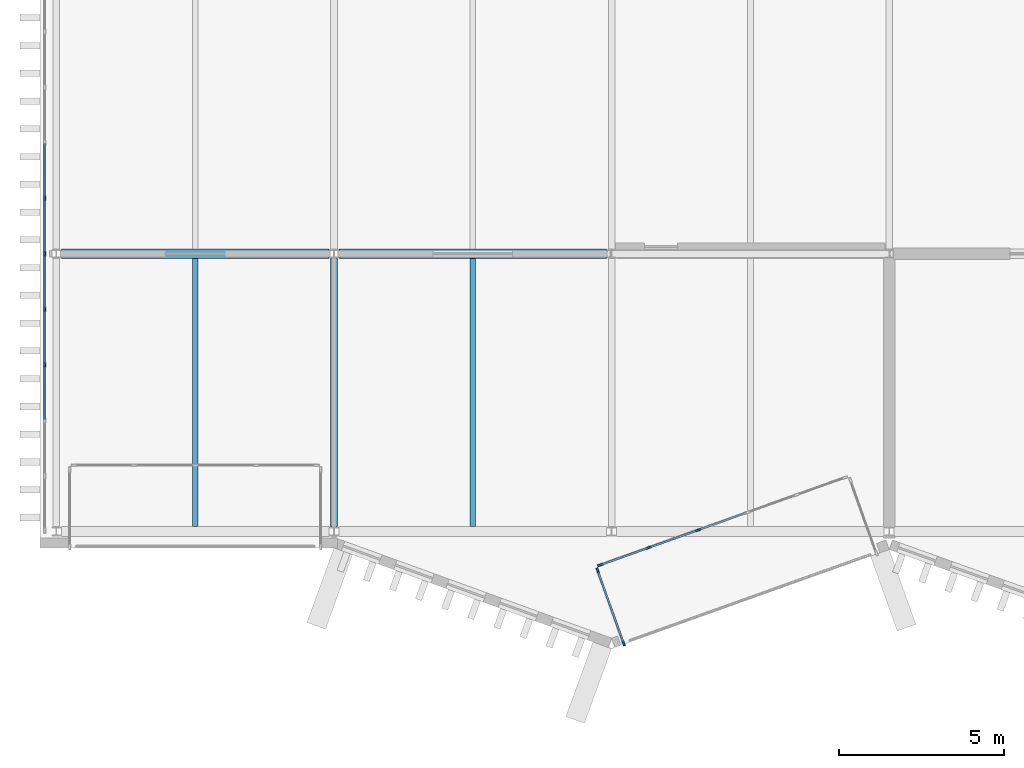
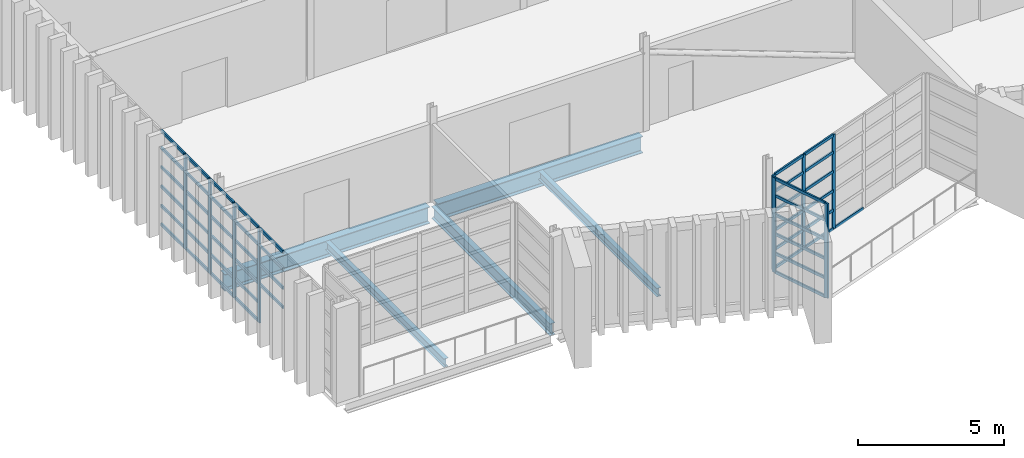
# One storey, part 14 of 88: 56 members, 5 beams, 3 elements without a shape of their own.
"""IFC4 building model written with IfcOpenShell, lengths in metres."""

import ifcopenshell
import ifcopenshell.guid

model = None  # the IFC model being written
_history = None  # IfcOwnerHistory: only IFC2X3 demands one
_inside = {}  # id of a spatial element -> (the spatial element, [elements in it])
_under = {}  # id of a project, library or spatial element -> (it, [spatial elements below it])
_declared = {}  # id of a project -> (the project, [libraries it declares])
_typed = {}  # id of a type object -> (the type object, [elements of that type])
_made_of = {}  # id of a material, layer set ... -> (it, [elements and type objects made of it])


def new_model(schema):
    """Start an empty IFC model of exactly this schema.

    Asked for "IFC4X3", IfcOpenShell would pick the latest addendum, in which some entities
    have other attributes; the version numbers below select the first issue.
    IFC2X3 requires an IfcOwnerHistory on every rooted entity: one is made here for all.
    """
    global model, _history
    if schema == "IFC4X3":
        model = ifcopenshell.file(schema_version=(4, 3, 0, 0))
    else:
        model = ifcopenshell.file(schema=schema)
    _inside.clear()
    _under.clear()
    _declared.clear()
    _typed.clear()
    _made_of.clear()
    _history = None
    if model.schema == "IFC2X3":
        org = make("IfcOrganization", Name="unknown")
        user = make(
            "IfcPersonAndOrganization",
            ThePerson=make("IfcPerson", FamilyName="unknown"),
            TheOrganization=org,
        )
        app = make(
            "IfcApplication",
            ApplicationDeveloper=org,
            Version="unknown",
            ApplicationFullName="unknown",
            ApplicationIdentifier="unknown",
        )
        _history = make(
            "IfcOwnerHistory",
            OwningUser=user,
            OwningApplication=app,
            ChangeAction="ADDED",
            CreationDate=0,
        )
    return model


def make(cls, **values):
    """One entity of the class cls with the attributes given. An attribute that is None is left unset."""
    return model.create_entity(
        cls, **{name: value for name, value in values.items() if value is not None}
    )


def rooted(cls, **values):
    """An entity with a GlobalId (a new one), such as an element, a storey or a relation."""
    return make(cls, GlobalId=ifcopenshell.guid.new(), OwnerHistory=_history, **values)


def si_unit(unit_type, name, prefix=None):
    """IfcSIUnit, for example si_unit("LENGTHUNIT", "METRE", prefix="MILLI")."""
    return make("IfcSIUnit", UnitType=unit_type, Prefix=prefix, Name=name)


def assignment(units):
    """IfcUnitAssignment: the units of a project."""
    return None if units is None else make("IfcUnitAssignment", Units=units)


def point(xyz):
    """IfcCartesianPoint."""
    return None if xyz is None else make("IfcCartesianPoint", Coordinates=xyz)


def direction(xyz):
    """IfcDirection."""
    return None if xyz is None else make("IfcDirection", DirectionRatios=xyz)


def frame(location, z_axis=None, x_axis=None):
    """IfcAxis2Placement3D, a coordinate frame: its origin and axes. An axis left out is left unset."""
    return make(
        "IfcAxis2Placement3D",
        Location=point(location),
        Axis=direction(z_axis),
        RefDirection=direction(x_axis),
    )


def frame_2d(location, x_axis=None):
    """IfcAxis2Placement2D, a coordinate frame in the plane: its origin and x axis."""
    return make(
        "IfcAxis2Placement2D", Location=point(location), RefDirection=direction(x_axis)
    )


def origin():
    """The frame at (0, 0, 0) with its axes left unset."""
    return frame((0.0, 0.0, 0.0))


def origin_2d():
    """The frame at (0, 0) in the plane with its x axis left unset."""
    return frame_2d((0.0, 0.0))


def place(relative_to, where):
    """IfcLocalPlacement: puts the frame where relative to a parent placement (None: the world)."""
    return make(
        "IfcLocalPlacement", PlacementRelTo=relative_to, RelativePlacement=where
    )


def context(
    kind, dimensions, precision=None, world=None, true_north=None, identifier=None
):
    """IfcGeometricRepresentationContext, for example the 3D "Model" context."""
    return make(
        "IfcGeometricRepresentationContext",
        ContextIdentifier=identifier,
        ContextType=kind,
        CoordinateSpaceDimension=dimensions,
        Precision=precision,
        WorldCoordinateSystem=world,
        TrueNorth=true_north,
    )


def subcontext(parent, identifier, kind, view, scale=None):
    """IfcGeometricRepresentationSubContext, for example "Body" below "Model"."""
    return make(
        "IfcGeometricRepresentationSubContext",
        ContextIdentifier=identifier,
        ContextType=kind,
        ParentContext=parent,
        TargetScale=scale,
        TargetView=view,
    )


def project(units=None, contexts=None):
    """IfcProject with its units and contexts."""
    return rooted(
        "IfcProject",
        Name="project",
        RepresentationContexts=contexts,
        UnitsInContext=assignment(units),
    )


def spatial(cls, under=None, at=None, **own):
    """A site, building, storey or space (cls), placed at a placement, below another one or the project."""
    s = rooted(cls, ObjectPlacement=at, **own)
    if under is not None:
        _under.setdefault(under.id(), (under, []))[1].append(s)
    return s


def profile(cls, at=None, kind="AREA", **sizes):
    """A parametric profile (cls). Its sizes go by their IFC names, for example OverallWidth=200.0."""
    return make(cls, ProfileType=kind, Position=at, **sizes)


def rectangle(**sizes):
    """IfcRectangleProfileDef."""
    return profile("IfcRectangleProfileDef", **sizes)


def i_section(**sizes):
    """IfcIShapeProfileDef."""
    return profile("IfcIShapeProfileDef", **sizes)


def extrude(swept, where, along, depth):
    """IfcExtrudedAreaSolid: the profile swept, set in the frame where, extruded along a direction by depth."""
    return make(
        "IfcExtrudedAreaSolid",
        SweptArea=swept,
        Position=where,
        ExtrudedDirection=direction(along),
        Depth=depth,
    )


def shape(context_of_items, identifier, shape_type, items):
    """IfcShapeRepresentation: the items that make up one representation, for example the "Body"."""
    return make(
        "IfcShapeRepresentation",
        ContextOfItems=context_of_items,
        RepresentationIdentifier=identifier,
        RepresentationType=shape_type,
        Items=items,
    )


def material(Name=None, Category=None):
    """IfcMaterial."""
    return make("IfcMaterial", Name=Name, Category=Category)


def layer(
    of_material, thickness, ventilated=None, Name=None, Category=None, Priority=None
):
    """IfcMaterialLayer: one layer of a wall or slab, of a material (None: an air gap)."""
    return make(
        "IfcMaterialLayer",
        Material=of_material,
        LayerThickness=thickness,
        IsVentilated=ventilated,
        Name=Name,
        Category=Category,
        Priority=Priority,
    )


def layer_set(layers, Name=None):
    """IfcMaterialLayerSet."""
    return make("IfcMaterialLayerSet", MaterialLayers=layers, LayerSetName=Name)


def material_profile(
    of_material, cross_section, Name=None, Category=None, Priority=None
):
    """IfcMaterialProfile: a cross section and its material."""
    return make(
        "IfcMaterialProfile",
        Name=Name,
        Material=of_material,
        Profile=cross_section,
        Priority=Priority,
        Category=Category,
    )


def profile_set(profiles, Name=None, composite=None):
    """IfcMaterialProfileSet."""
    return make(
        "IfcMaterialProfileSet",
        Name=Name,
        MaterialProfiles=profiles,
        CompositeProfile=composite,
    )


def made_of(thing, what):
    """Note that an element or type object is made of a material, layer set ...; save() writes the relation."""
    if what is not None:
        _made_of.setdefault(what.id(), (what, []))[1].append(thing)
    return thing


def type_object(cls, material=None, **own):
    """A type object (cls), such as IfcWallType, which elements share."""
    return made_of(rooted(cls, **own), material)


def element(
    cls,
    number,
    at=None,
    inside=None,
    cuts=None,
    type_object=None,
    material=None,
    context=None,
    identifier="Body",
    shape_type=None,
    held_by="IfcProductDefinitionShape",
    body=None,
    shapes=None,
    **own,
):
    """One element of the class cls, such as IfcWall. Its Tag is "e" and its number.

    at: its placement. inside: the storey or other place that contains it. cuts: it is an
    opening in that element (IfcRelVoidsElement). A single representation is given by context,
    identifier, shape_type and body (its items); several are given by shapes. held_by: the class
    of the entity that holds the representations. save() writes the other relations.
    """
    e = rooted(cls, Tag="e%d" % number, ObjectPlacement=at, **own)
    if body is not None:
        shapes = [shape(context, identifier, shape_type, body)]
    if shapes is not None:
        e.Representation = make(held_by, Representations=shapes)
    if inside is not None:
        _inside.setdefault(inside.id(), (inside, []))[1].append(e)
    if cuts is not None:
        rooted(
            "IfcRelVoidsElement", RelatingBuildingElement=cuts, RelatedOpeningElement=e
        )
    if type_object is not None:
        _typed.setdefault(type_object.id(), (type_object, []))[1].append(e)
    return made_of(e, material)


def aggregate(whole, parts):
    """IfcRelAggregates: a whole, such as a stair, and the parts it consists of."""
    return rooted("IfcRelAggregates", RelatingObject=whole, RelatedObjects=parts)


def save(model, path):
    """Write the relations noted so far, then the file.

    IfcRelAggregates (storeys below a building ...), IfcRelContainedInSpatialStructure (elements
    in a storey), IfcRelDefinesByType, IfcRelAssociatesMaterial and IfcRelDeclares: one each for
    every whole, place, type object, material and project.
    """
    for whole, parts in _under.values():
        aggregate(whole, parts)
    for where, things in _inside.values():
        rooted(
            "IfcRelContainedInSpatialStructure",
            RelatedElements=things,
            RelatingStructure=where,
        )
    for kind, things in _typed.values():
        rooted("IfcRelDefinesByType", RelatedObjects=things, RelatingType=kind)
    for what, things in _made_of.values():
        rooted("IfcRelAssociatesMaterial", RelatedObjects=things, RelatingMaterial=what)
    for by, libraries in _declared.values():
        rooted("IfcRelDeclares", RelatingContext=by, RelatedDefinitions=libraries)
    model.write(path)


model = new_model("IFC4")

# Units and contexts
model_context = context("Model", 3, precision=1e-05, world=origin(), true_north=direction((0.0, 1.0)))
body_context = subcontext(model_context, "Body", "Model", "MODEL_VIEW")
ifc_project = project(units=[si_unit("LENGTHUNIT", "METRE"), si_unit("AREAUNIT", "SQUARE_METRE"), si_unit("VOLUMEUNIT", "CUBIC_METRE"), si_unit("PLANEANGLEUNIT", "RADIAN"), si_unit("MASSUNIT", "GRAM", prefix="KILO")], contexts=[model_context])

# Site, building, storey
site_placement = place(None, origin())
site = spatial("IfcSite", under=ifc_project, at=site_placement, CompositionType="ELEMENT")
building_placement = place(site_placement, origin())
building = spatial("IfcBuilding", under=site, at=building_placement, Name="Cresset Court Congress Hotel", CompositionType="ELEMENT")
storey_placement = place(building_placement, frame((0.0, 0.0, 14.39990234375)))
storey = spatial("IfcBuildingStorey", under=building, at=storey_placement, Name="L03", CompositionType="ELEMENT", Elevation=14.39990234375)

# Curtain wall, members
ifc_material_1 = material(Name="Aluminium frame with double glazing", Category="aluminium")
ifc_layer = layer(ifc_material_1, 0.199951171875)
ifc_layer_set = layer_set([ifc_layer], Name="Glazed box curtain wall 1680 module")
curtain_wall_type = type_object("IfcCurtainWallType", Name="Glazed box curtain wall 1680 module", PredefinedType="NOTDEFINED", material=ifc_layer_set)
curtain_wall_1_placement = place(storey_placement, origin())
curtain_wall_1 = element("IfcCurtainWall", 1, at=curtain_wall_1_placement, inside=storey, type_object=curtain_wall_type, Name="Glazed box S0305 front", PredefinedType="NOTDEFINED")
ifc_material_2 = material(Name="Aluminium", Category="aluminium")
ifc_material_profile_1 = material_profile(ifc_material_2, rectangle(XDim=0.06005859375, YDim=0.159912109375, at=origin_2d()), Name="Box mullion 60x160")
ifc_profile_set_1 = profile_set([ifc_material_profile_1], Name="Aluminium")
member_type_1 = type_object("IfcMemberType", Name="Box mullion 60x160", PredefinedType="MULLION", material=ifc_profile_set_1)
member_1_placement = place(storey_placement, frame((24.8583984375, -1.017333984375, 0.0), z_axis=(0.0, 0.0, 1.0), x_axis=(-0.336336396981, 0.941741911601, 0.0)))
member_1 = element("IfcMember", 2, at=member_1_placement, type_object=member_type_1, Name="B-X1 mullion 1", PredefinedType="MULLION", context=body_context, shape_type="SweptSolid", body=[
    extrude(rectangle(XDim=0.06005859375, YDim=0.159912109375, at=origin_2d()), origin(), (0.0, 0.0, 1.0), 3.9501953125),
])
member_2_placement = place(storey_placement, frame((26.32177734375, -0.49462890625, 0.0), z_axis=(0.0, 0.0, 1.0), x_axis=(-0.336336396981, 0.941741911601, 0.0)))
member_2 = element("IfcMember", 3, at=member_2_placement, type_object=member_type_1, Name="B-X1 mullion 2", PredefinedType="MULLION", context=body_context, shape_type="SweptSolid", body=[
    extrude(rectangle(XDim=0.06005859375, YDim=0.159912109375, at=origin_2d()), origin(), (0.0, 0.0, 1.0), 3.9501953125),
])
member_3_placement = place(storey_placement, frame((27.813232421875, 0.0380859375, 0.0), z_axis=(0.0, 0.0, 1.0), x_axis=(-0.336336396981, 0.941741911601, 0.0)))
member_3 = element("IfcMember", 4, at=member_3_placement, type_object=member_type_1, Name="B-X1 mullion 3", PredefinedType="MULLION", context=body_context, shape_type="SweptSolid", body=[
    extrude(rectangle(XDim=0.06005859375, YDim=0.159912109375, at=origin_2d()), origin(), (0.0, 0.0, 1.0), 3.9501953125),
])

curtain_wall_2_placement = place(storey_placement, origin())
curtain_wall_2 = element("IfcCurtainWall", 5, at=curtain_wall_2_placement, inside=storey, type_object=curtain_wall_type, Name="Glazed box S0305 side", PredefinedType="NOTDEFINED")
member_4_placement = place(storey_placement, frame((25.566650390625, -3.38720703125, 0.0), z_axis=(0.0, 0.0, 1.0), x_axis=(-0.941741911578, -0.336336397047, 0.0)))
member_4 = element("IfcMember", 6, at=member_4_placement, type_object=member_type_1, Name="B-X1 mullion 1", PredefinedType="MULLION", context=body_context, shape_type="SweptSolid", body=[
    extrude(rectangle(XDim=0.06005859375, YDim=0.159912109375, at=origin_2d()), origin(), (0.0, 0.0, 1.0), 3.9501953125),
])
member_5_placement = place(storey_placement, frame((24.779541015625, -1.18359375, 0.0), z_axis=(0.0, 0.0, 1.0), x_axis=(-0.941741911578, -0.336336397047, 0.0)))
member_5 = element("IfcMember", 7, at=member_5_placement, type_object=member_type_1, Name="B-X1 mullion 2", PredefinedType="MULLION", context=body_context, shape_type="SweptSolid", body=[
    extrude(rectangle(XDim=0.06005859375, YDim=0.159912109375, at=origin_2d()), origin(), (0.0, 0.0, 1.0), 3.9501953125),
])

curtain_wall_3_placement = place(storey_placement, origin())
curtain_wall_3 = element("IfcCurtainWall", 8, at=curtain_wall_3_placement, inside=storey, type_object=curtain_wall_type, Name="Foyer glazed front L03", PredefinedType="NOTDEFINED")
member_6_placement = place(storey_placement, frame((8.050048828125, 5.0400390625, 0.0), z_axis=(0.0, 0.0, 1.0), x_axis=(-1.0, 0.0, 0.0)))
member_6 = element("IfcMember", 9, at=member_6_placement, type_object=member_type_1, Name="B-X1 mullion 4", PredefinedType="MULLION", context=body_context, shape_type="SweptSolid", body=[
    extrude(rectangle(XDim=0.06005859375, YDim=0.159912109375, at=origin_2d()), origin(), (0.0, 0.0, 1.0), 3.9501953125),
])
member_7_placement = place(storey_placement, frame((8.050048828125, 6.719970703125, 0.0), z_axis=(0.0, 0.0, 1.0), x_axis=(-1.0, 0.0, 0.0)))
member_7 = element("IfcMember", 10, at=member_7_placement, type_object=member_type_1, Name="B-X1 mullion 5", PredefinedType="MULLION", context=body_context, shape_type="SweptSolid", body=[
    extrude(rectangle(XDim=0.06005859375, YDim=0.159912109375, at=origin_2d()), origin(), (0.0, 0.0, 1.0), 3.9501953125),
])
member_8_placement = place(storey_placement, frame((8.050048828125, 8.39990234375, 0.0), z_axis=(0.0, 0.0, 1.0), x_axis=(-1.0, 0.0, 0.0)))
member_8 = element("IfcMember", 11, at=member_8_placement, type_object=member_type_1, Name="B-X1 mullion 6", PredefinedType="MULLION", context=body_context, shape_type="SweptSolid", body=[
    extrude(rectangle(XDim=0.06005859375, YDim=0.159912109375, at=origin_2d()), origin(), (0.0, 0.0, 1.0), 3.9501953125),
])
member_9_placement = place(storey_placement, frame((8.050048828125, 10.080078125, 0.0), z_axis=(0.0, 0.0, 1.0), x_axis=(-1.0, 0.0, 0.0)))
member_9 = element("IfcMember", 12, at=member_9_placement, type_object=member_type_1, Name="B-X1 mullion 7", PredefinedType="MULLION", context=body_context, shape_type="SweptSolid", body=[
    extrude(rectangle(XDim=0.06005859375, YDim=0.159912109375, at=origin_2d()), origin(), (0.0, 0.0, 1.0), 3.9501953125),
])

# Member
ifc_material_3 = material(Name="Aluminium", Category="aluminium")
ifc_material_profile_2 = material_profile(ifc_material_3, rectangle(XDim=0.06005859375, YDim=0.1201171875, at=origin_2d()), Name="Box transom 60x120")
ifc_profile_set_2 = profile_set([ifc_material_profile_2], Name="Aluminium")
member_type_2 = type_object("IfcMemberType", Name="Box transom 60x120", PredefinedType="USERDEFINED", material=ifc_profile_set_2)
member_10_placement = place(storey_placement, frame((24.886474609375, -1.00732421875, 0.030029296875), z_axis=(0.941753002509, 0.336305340823, 0.0), x_axis=(-0.336305340823, 0.941753002509, 0.0)))
member_10 = element("IfcMember", 13, at=member_10_placement, type_object=member_type_2, Name="B-X1 transom 1.1", ObjectType="TRANSOM", PredefinedType="USERDEFINED", context=body_context, shape_type="SweptSolid", body=[
    extrude(rectangle(XDim=0.06005859375, YDim=0.1201171875, at=origin_2d()), origin(), (0.0, 0.0, 1.0), 1.493896484375),
])

member_11_placement = place(storey_placement, frame((24.886474609375, -1.00732421875, 0.80517578125), z_axis=(0.941753002509, 0.336305340823, 0.0), x_axis=(-0.336305340823, 0.941753002509, 0.0)))
member_11 = element("IfcMember", 14, at=member_11_placement, type_object=member_type_2, Name="B-X1 transom 1.2", ObjectType="TRANSOM", PredefinedType="USERDEFINED", context=body_context, shape_type="SweptSolid", body=[
    extrude(rectangle(XDim=0.06005859375, YDim=0.1201171875, at=origin_2d()), origin(), (0.0, 0.0, 1.0), 1.493896484375),
])

member_12_placement = place(storey_placement, frame((24.886474609375, -1.00732421875, 1.610107421875), z_axis=(0.941753002509, 0.336305340823, 0.0), x_axis=(-0.336305340823, 0.941753002509, 0.0)))
member_12 = element("IfcMember", 15, at=member_12_placement, type_object=member_type_2, Name="B-X1 transom 1.3", ObjectType="TRANSOM", PredefinedType="USERDEFINED", context=body_context, shape_type="SweptSolid", body=[
    extrude(rectangle(XDim=0.06005859375, YDim=0.1201171875, at=origin_2d()), origin(), (0.0, 0.0, 1.0), 1.493896484375),
])

member_13_placement = place(storey_placement, frame((24.886474609375, -1.00732421875, 2.4150390625), z_axis=(0.941753002509, 0.336305340823, 0.0), x_axis=(-0.336305340823, 0.941753002509, 0.0)))
member_13 = element("IfcMember", 16, at=member_13_placement, type_object=member_type_2, Name="B-X1 transom 1.4", ObjectType="TRANSOM", PredefinedType="USERDEFINED", context=body_context, shape_type="SweptSolid", body=[
    extrude(rectangle(XDim=0.06005859375, YDim=0.1201171875, at=origin_2d()), origin(), (0.0, 0.0, 1.0), 1.493896484375),
])

member_14_placement = place(storey_placement, frame((24.886474609375, -1.00732421875, 3.22021484375), z_axis=(0.941753002509, 0.336305340823, 0.0), x_axis=(-0.336305340823, 0.941753002509, 0.0)))
member_14 = element("IfcMember", 17, at=member_14_placement, type_object=member_type_2, Name="B-X1 transom 1.5", ObjectType="TRANSOM", PredefinedType="USERDEFINED", context=body_context, shape_type="SweptSolid", body=[
    extrude(rectangle(XDim=0.06005859375, YDim=0.1201171875, at=origin_2d()), origin(), (0.0, 0.0, 1.0), 1.493896484375),
])

member_15_placement = place(storey_placement, frame((24.886474609375, -1.00732421875, 3.920166015625), z_axis=(0.941753002509, 0.336305340823, 0.0), x_axis=(-0.336305340823, 0.941753002509, 0.0)))
member_15 = element("IfcMember", 18, at=member_15_placement, type_object=member_type_2, Name="B-X1 transom 1.6", ObjectType="TRANSOM", PredefinedType="USERDEFINED", context=body_context, shape_type="SweptSolid", body=[
    extrude(rectangle(XDim=0.06005859375, YDim=0.1201171875, at=origin_2d()), origin(), (0.0, 0.0, 1.0), 1.493896484375),
])

member_16_placement = place(storey_placement, frame((26.349853515625, -0.484619140625, 0.030029296875), z_axis=(0.941774525646, 0.336245063673, 0.0), x_axis=(-0.336245063673, 0.941774525646, 0.0)))
member_16 = element("IfcMember", 19, at=member_16_placement, type_object=member_type_2, Name="B-X1 transom 2.1", ObjectType="TRANSOM", PredefinedType="USERDEFINED", context=body_context, shape_type="SweptSolid", body=[
    extrude(rectangle(XDim=0.06005859375, YDim=0.1201171875, at=origin_2d()), origin(), (0.0, 0.0, 1.0), 1.52392578125),
])

member_17_placement = place(storey_placement, frame((26.349853515625, -0.484619140625, 0.80517578125), z_axis=(0.941774525646, 0.336245063673, 0.0), x_axis=(-0.336245063673, 0.941774525646, 0.0)))
member_17 = element("IfcMember", 20, at=member_17_placement, type_object=member_type_2, Name="B-X1 transom 2.2", ObjectType="TRANSOM", PredefinedType="USERDEFINED", context=body_context, shape_type="SweptSolid", body=[
    extrude(rectangle(XDim=0.06005859375, YDim=0.1201171875, at=origin_2d()), origin(), (0.0, 0.0, 1.0), 1.52392578125),
])

member_18_placement = place(storey_placement, frame((26.349853515625, -0.484619140625, 1.610107421875), z_axis=(0.941774525646, 0.336245063673, 0.0), x_axis=(-0.336245063673, 0.941774525646, 0.0)))
member_18 = element("IfcMember", 21, at=member_18_placement, type_object=member_type_2, Name="B-X1 transom 2.3", ObjectType="TRANSOM", PredefinedType="USERDEFINED", context=body_context, shape_type="SweptSolid", body=[
    extrude(rectangle(XDim=0.06005859375, YDim=0.1201171875, at=origin_2d()), origin(), (0.0, 0.0, 1.0), 1.52392578125),
])

member_19_placement = place(storey_placement, frame((26.349853515625, -0.484619140625, 2.4150390625), z_axis=(0.941774525646, 0.336245063673, 0.0), x_axis=(-0.336245063673, 0.941774525646, 0.0)))
member_19 = element("IfcMember", 22, at=member_19_placement, type_object=member_type_2, Name="B-X1 transom 2.4", ObjectType="TRANSOM", PredefinedType="USERDEFINED", context=body_context, shape_type="SweptSolid", body=[
    extrude(rectangle(XDim=0.06005859375, YDim=0.1201171875, at=origin_2d()), origin(), (0.0, 0.0, 1.0), 1.52392578125),
])

member_20_placement = place(storey_placement, frame((26.349853515625, -0.484619140625, 3.22021484375), z_axis=(0.941774525646, 0.336245063673, 0.0), x_axis=(-0.336245063673, 0.941774525646, 0.0)))
member_20 = element("IfcMember", 23, at=member_20_placement, type_object=member_type_2, Name="B-X1 transom 2.5", ObjectType="TRANSOM", PredefinedType="USERDEFINED", context=body_context, shape_type="SweptSolid", body=[
    extrude(rectangle(XDim=0.06005859375, YDim=0.1201171875, at=origin_2d()), origin(), (0.0, 0.0, 1.0), 1.52392578125),
])

member_21_placement = place(storey_placement, frame((26.349853515625, -0.484619140625, 3.920166015625), z_axis=(0.941774525646, 0.336245063673, 0.0), x_axis=(-0.336245063673, 0.941774525646, 0.0)))
member_21 = element("IfcMember", 24, at=member_21_placement, type_object=member_type_2, Name="B-X1 transom 2.6", ObjectType="TRANSOM", PredefinedType="USERDEFINED", context=body_context, shape_type="SweptSolid", body=[
    extrude(rectangle(XDim=0.06005859375, YDim=0.1201171875, at=origin_2d()), origin(), (0.0, 0.0, 1.0), 1.52392578125),
])

member_22_placement = place(storey_placement, frame((27.841552734375, 0.048095703125, 0.030029296875), z_axis=(0.941756410009, 0.336295798675, 0.0), x_axis=(-0.336295798675, 0.941756410009, 0.0)))
member_22 = element("IfcMember", 25, at=member_22_placement, type_object=member_type_2, Name="B-X1 transom 3.1", ObjectType="TRANSOM", PredefinedType="USERDEFINED", context=body_context, shape_type="SweptSolid", body=[
    extrude(rectangle(XDim=0.06005859375, YDim=0.1201171875, at=origin_2d()), origin(), (0.0, 0.0, 1.0), 1.52392578125),
])

aggregate(curtain_wall_1, [member_1, member_2, member_3, member_10, member_11, member_12, member_13, member_14, member_15, member_16, member_17, member_18, member_19, member_20, member_21, member_22])

member_23_placement = place(storey_placement, frame((25.556396484375, -3.35888671875, 0.030029296875), z_axis=(-0.336329613816, 0.941744334132, 0.0), x_axis=(-0.941744334132, -0.336329613816, 0.0)))
member_23 = element("IfcMember", 26, at=member_23_placement, type_object=member_type_2, Name="B-X1 transom 1.1", ObjectType="TRANSOM", PredefinedType="USERDEFINED", context=body_context, shape_type="SweptSolid", body=[
    extrude(rectangle(XDim=0.06005859375, YDim=0.1201171875, at=origin_2d()), origin(), (0.0, 0.0, 1.0), 2.280029296875),
])

member_24_placement = place(storey_placement, frame((25.556396484375, -3.35888671875, 0.80517578125), z_axis=(-0.336329613816, 0.941744334132, 0.0), x_axis=(-0.941744334132, -0.336329613816, 0.0)))
member_24 = element("IfcMember", 27, at=member_24_placement, type_object=member_type_2, Name="B-X1 transom 1.2", ObjectType="TRANSOM", PredefinedType="USERDEFINED", context=body_context, shape_type="SweptSolid", body=[
    extrude(rectangle(XDim=0.06005859375, YDim=0.1201171875, at=origin_2d()), origin(), (0.0, 0.0, 1.0), 2.280029296875),
])

member_25_placement = place(storey_placement, frame((25.556396484375, -3.35888671875, 1.610107421875), z_axis=(-0.336329613816, 0.941744334132, 0.0), x_axis=(-0.941744334132, -0.336329613816, 0.0)))
member_25 = element("IfcMember", 28, at=member_25_placement, type_object=member_type_2, Name="B-X1 transom 1.3", ObjectType="TRANSOM", PredefinedType="USERDEFINED", context=body_context, shape_type="SweptSolid", body=[
    extrude(rectangle(XDim=0.06005859375, YDim=0.1201171875, at=origin_2d()), origin(), (0.0, 0.0, 1.0), 2.280029296875),
])

member_26_placement = place(storey_placement, frame((25.556396484375, -3.35888671875, 2.4150390625), z_axis=(-0.336329613816, 0.941744334132, 0.0), x_axis=(-0.941744334132, -0.336329613816, 0.0)))
member_26 = element("IfcMember", 29, at=member_26_placement, type_object=member_type_2, Name="B-X1 transom 1.4", ObjectType="TRANSOM", PredefinedType="USERDEFINED", context=body_context, shape_type="SweptSolid", body=[
    extrude(rectangle(XDim=0.06005859375, YDim=0.1201171875, at=origin_2d()), origin(), (0.0, 0.0, 1.0), 2.280029296875),
])

member_27_placement = place(storey_placement, frame((25.556396484375, -3.35888671875, 3.22021484375), z_axis=(-0.336329613816, 0.941744334132, 0.0), x_axis=(-0.941744334132, -0.336329613816, 0.0)))
member_27 = element("IfcMember", 30, at=member_27_placement, type_object=member_type_2, Name="B-X1 transom 1.5", ObjectType="TRANSOM", PredefinedType="USERDEFINED", context=body_context, shape_type="SweptSolid", body=[
    extrude(rectangle(XDim=0.06005859375, YDim=0.1201171875, at=origin_2d()), origin(), (0.0, 0.0, 1.0), 2.280029296875),
])

member_28_placement = place(storey_placement, frame((25.556396484375, -3.35888671875, 3.920166015625), z_axis=(-0.336329613816, 0.941744334132, 0.0), x_axis=(-0.941744334132, -0.336329613816, 0.0)))
member_28 = element("IfcMember", 31, at=member_28_placement, type_object=member_type_2, Name="B-X1 transom 1.6", ObjectType="TRANSOM", PredefinedType="USERDEFINED", context=body_context, shape_type="SweptSolid", body=[
    extrude(rectangle(XDim=0.06005859375, YDim=0.1201171875, at=origin_2d()), origin(), (0.0, 0.0, 1.0), 2.280029296875),
])

aggregate(curtain_wall_2, [member_4, member_5, member_23, member_24, member_25, member_26, member_27, member_28])

member_29_placement = place(storey_placement, frame((8.050048828125, 3.389892578125, 1.610107421875), z_axis=(0.0, 1.0, 0.0), x_axis=(-1.0, 0.0, 0.0)))
member_29 = element("IfcMember", 32, at=member_29_placement, type_object=member_type_2, Name="B-X1 transom 3.3", ObjectType="TRANSOM", PredefinedType="USERDEFINED", context=body_context, shape_type="SweptSolid", body=[
    extrude(rectangle(XDim=0.06005859375, YDim=0.1201171875, at=origin_2d()), origin(), (0.0, 0.0, 1.0), 1.6201171875),
])

member_30_placement = place(storey_placement, frame((8.050048828125, 3.389892578125, 2.4150390625), z_axis=(0.0, 1.0, 0.0), x_axis=(-1.0, 0.0, 0.0)))
member_30 = element("IfcMember", 33, at=member_30_placement, type_object=member_type_2, Name="B-X1 transom 3.4", ObjectType="TRANSOM", PredefinedType="USERDEFINED", context=body_context, shape_type="SweptSolid", body=[
    extrude(rectangle(XDim=0.06005859375, YDim=0.1201171875, at=origin_2d()), origin(), (0.0, 0.0, 1.0), 1.6201171875),
])

member_31_placement = place(storey_placement, frame((8.050048828125, 3.389892578125, 3.22021484375), z_axis=(0.0, 1.0, 0.0), x_axis=(-1.0, 0.0, 0.0)))
member_31 = element("IfcMember", 34, at=member_31_placement, type_object=member_type_2, Name="B-X1 transom 3.5", ObjectType="TRANSOM", PredefinedType="USERDEFINED", context=body_context, shape_type="SweptSolid", body=[
    extrude(rectangle(XDim=0.06005859375, YDim=0.1201171875, at=origin_2d()), origin(), (0.0, 0.0, 1.0), 1.6201171875),
])

member_32_placement = place(storey_placement, frame((8.050048828125, 3.389892578125, 3.920166015625), z_axis=(0.0, 1.0, 0.0), x_axis=(-1.0, 0.0, 0.0)))
member_32 = element("IfcMember", 35, at=member_32_placement, type_object=member_type_2, Name="B-X1 transom 3.6", ObjectType="TRANSOM", PredefinedType="USERDEFINED", context=body_context, shape_type="SweptSolid", body=[
    extrude(rectangle(XDim=0.06005859375, YDim=0.1201171875, at=origin_2d()), origin(), (0.0, 0.0, 1.0), 1.6201171875),
])

member_33_placement = place(storey_placement, frame((8.050048828125, 5.070068359375, 0.030029296875), z_axis=(0.0, 1.0, 0.0), x_axis=(-1.0, 0.0, 0.0)))
member_33 = element("IfcMember", 36, at=member_33_placement, type_object=member_type_2, Name="B-X1 transom 4.1", ObjectType="TRANSOM", PredefinedType="USERDEFINED", context=body_context, shape_type="SweptSolid", body=[
    extrude(rectangle(XDim=0.06005859375, YDim=0.1201171875, at=origin_2d()), origin(), (0.0, 0.0, 1.0), 1.619873046875),
])

member_34_placement = place(storey_placement, frame((8.050048828125, 5.070068359375, 0.80517578125), z_axis=(0.0, 1.0, 0.0), x_axis=(-1.0, 0.0, 0.0)))
member_34 = element("IfcMember", 37, at=member_34_placement, type_object=member_type_2, Name="B-X1 transom 4.2", ObjectType="TRANSOM", PredefinedType="USERDEFINED", context=body_context, shape_type="SweptSolid", body=[
    extrude(rectangle(XDim=0.06005859375, YDim=0.1201171875, at=origin_2d()), origin(), (0.0, 0.0, 1.0), 1.619873046875),
])

member_35_placement = place(storey_placement, frame((8.050048828125, 5.070068359375, 1.610107421875), z_axis=(0.0, 1.0, 0.0), x_axis=(-1.0, 0.0, 0.0)))
member_35 = element("IfcMember", 38, at=member_35_placement, type_object=member_type_2, Name="B-X1 transom 4.3", ObjectType="TRANSOM", PredefinedType="USERDEFINED", context=body_context, shape_type="SweptSolid", body=[
    extrude(rectangle(XDim=0.06005859375, YDim=0.1201171875, at=origin_2d()), origin(), (0.0, 0.0, 1.0), 1.619873046875),
])

member_36_placement = place(storey_placement, frame((8.050048828125, 5.070068359375, 2.4150390625), z_axis=(0.0, 1.0, 0.0), x_axis=(-1.0, 0.0, 0.0)))
member_36 = element("IfcMember", 39, at=member_36_placement, type_object=member_type_2, Name="B-X1 transom 4.4", ObjectType="TRANSOM", PredefinedType="USERDEFINED", context=body_context, shape_type="SweptSolid", body=[
    extrude(rectangle(XDim=0.06005859375, YDim=0.1201171875, at=origin_2d()), origin(), (0.0, 0.0, 1.0), 1.619873046875),
])

member_37_placement = place(storey_placement, frame((8.050048828125, 5.070068359375, 3.22021484375), z_axis=(0.0, 1.0, 0.0), x_axis=(-1.0, 0.0, 0.0)))
member_37 = element("IfcMember", 40, at=member_37_placement, type_object=member_type_2, Name="B-X1 transom 4.5", ObjectType="TRANSOM", PredefinedType="USERDEFINED", context=body_context, shape_type="SweptSolid", body=[
    extrude(rectangle(XDim=0.06005859375, YDim=0.1201171875, at=origin_2d()), origin(), (0.0, 0.0, 1.0), 1.619873046875),
])

member_38_placement = place(storey_placement, frame((8.050048828125, 5.070068359375, 3.920166015625), z_axis=(0.0, 1.0, 0.0), x_axis=(-1.0, 0.0, 0.0)))
member_38 = element("IfcMember", 41, at=member_38_placement, type_object=member_type_2, Name="B-X1 transom 4.6", ObjectType="TRANSOM", PredefinedType="USERDEFINED", context=body_context, shape_type="SweptSolid", body=[
    extrude(rectangle(XDim=0.06005859375, YDim=0.1201171875, at=origin_2d()), origin(), (0.0, 0.0, 1.0), 1.619873046875),
])

member_39_placement = place(storey_placement, frame((8.050048828125, 6.75, 0.030029296875), z_axis=(0.0, 1.0, 0.0), x_axis=(-1.0, 0.0, 0.0)))
member_39 = element("IfcMember", 42, at=member_39_placement, type_object=member_type_2, Name="B-X1 transom 5.1", ObjectType="TRANSOM", PredefinedType="USERDEFINED", context=body_context, shape_type="SweptSolid", body=[
    extrude(rectangle(XDim=0.06005859375, YDim=0.1201171875, at=origin_2d()), origin(), (0.0, 0.0, 1.0), 1.6201171875),
])

member_40_placement = place(storey_placement, frame((8.050048828125, 6.75, 0.80517578125), z_axis=(0.0, 1.0, 0.0), x_axis=(-1.0, 0.0, 0.0)))
member_40 = element("IfcMember", 43, at=member_40_placement, type_object=member_type_2, Name="B-X1 transom 5.2", ObjectType="TRANSOM", PredefinedType="USERDEFINED", context=body_context, shape_type="SweptSolid", body=[
    extrude(rectangle(XDim=0.06005859375, YDim=0.1201171875, at=origin_2d()), origin(), (0.0, 0.0, 1.0), 1.6201171875),
])

member_41_placement = place(storey_placement, frame((8.050048828125, 6.75, 1.610107421875), z_axis=(0.0, 1.0, 0.0), x_axis=(-1.0, 0.0, 0.0)))
member_41 = element("IfcMember", 44, at=member_41_placement, type_object=member_type_2, Name="B-X1 transom 5.3", ObjectType="TRANSOM", PredefinedType="USERDEFINED", context=body_context, shape_type="SweptSolid", body=[
    extrude(rectangle(XDim=0.06005859375, YDim=0.1201171875, at=origin_2d()), origin(), (0.0, 0.0, 1.0), 1.6201171875),
])

member_42_placement = place(storey_placement, frame((8.050048828125, 6.75, 2.4150390625), z_axis=(0.0, 1.0, 0.0), x_axis=(-1.0, 0.0, 0.0)))
member_42 = element("IfcMember", 45, at=member_42_placement, type_object=member_type_2, Name="B-X1 transom 5.4", ObjectType="TRANSOM", PredefinedType="USERDEFINED", context=body_context, shape_type="SweptSolid", body=[
    extrude(rectangle(XDim=0.06005859375, YDim=0.1201171875, at=origin_2d()), origin(), (0.0, 0.0, 1.0), 1.6201171875),
])

member_43_placement = place(storey_placement, frame((8.050048828125, 6.75, 3.22021484375), z_axis=(0.0, 1.0, 0.0), x_axis=(-1.0, 0.0, 0.0)))
member_43 = element("IfcMember", 46, at=member_43_placement, type_object=member_type_2, Name="B-X1 transom 5.5", ObjectType="TRANSOM", PredefinedType="USERDEFINED", context=body_context, shape_type="SweptSolid", body=[
    extrude(rectangle(XDim=0.06005859375, YDim=0.1201171875, at=origin_2d()), origin(), (0.0, 0.0, 1.0), 1.6201171875),
])

member_44_placement = place(storey_placement, frame((8.050048828125, 6.75, 3.920166015625), z_axis=(0.0, 1.0, 0.0), x_axis=(-1.0, 0.0, 0.0)))
member_44 = element("IfcMember", 47, at=member_44_placement, type_object=member_type_2, Name="B-X1 transom 5.6", ObjectType="TRANSOM", PredefinedType="USERDEFINED", context=body_context, shape_type="SweptSolid", body=[
    extrude(rectangle(XDim=0.06005859375, YDim=0.1201171875, at=origin_2d()), origin(), (0.0, 0.0, 1.0), 1.6201171875),
])

member_45_placement = place(storey_placement, frame((8.050048828125, 8.429931640625, 0.030029296875), z_axis=(0.0, 1.0, 0.0), x_axis=(-1.0, 0.0, 0.0)))
member_45 = element("IfcMember", 48, at=member_45_placement, type_object=member_type_2, Name="B-X1 transom 6.1", ObjectType="TRANSOM", PredefinedType="USERDEFINED", context=body_context, shape_type="SweptSolid", body=[
    extrude(rectangle(XDim=0.06005859375, YDim=0.1201171875, at=origin_2d()), origin(), (0.0, 0.0, 1.0), 1.6201171875),
])

member_46_placement = place(storey_placement, frame((8.050048828125, 8.429931640625, 0.80517578125), z_axis=(0.0, 1.0, 0.0), x_axis=(-1.0, 0.0, 0.0)))
member_46 = element("IfcMember", 49, at=member_46_placement, type_object=member_type_2, Name="B-X1 transom 6.2", ObjectType="TRANSOM", PredefinedType="USERDEFINED", context=body_context, shape_type="SweptSolid", body=[
    extrude(rectangle(XDim=0.06005859375, YDim=0.1201171875, at=origin_2d()), origin(), (0.0, 0.0, 1.0), 1.6201171875),
])

member_47_placement = place(storey_placement, frame((8.050048828125, 8.429931640625, 1.610107421875), z_axis=(0.0, 1.0, 0.0), x_axis=(-1.0, 0.0, 0.0)))
member_47 = element("IfcMember", 50, at=member_47_placement, type_object=member_type_2, Name="B-X1 transom 6.3", ObjectType="TRANSOM", PredefinedType="USERDEFINED", context=body_context, shape_type="SweptSolid", body=[
    extrude(rectangle(XDim=0.06005859375, YDim=0.1201171875, at=origin_2d()), origin(), (0.0, 0.0, 1.0), 1.6201171875),
])

member_48_placement = place(storey_placement, frame((8.050048828125, 8.429931640625, 2.4150390625), z_axis=(0.0, 1.0, 0.0), x_axis=(-1.0, 0.0, 0.0)))
member_48 = element("IfcMember", 51, at=member_48_placement, type_object=member_type_2, Name="B-X1 transom 6.4", ObjectType="TRANSOM", PredefinedType="USERDEFINED", context=body_context, shape_type="SweptSolid", body=[
    extrude(rectangle(XDim=0.06005859375, YDim=0.1201171875, at=origin_2d()), origin(), (0.0, 0.0, 1.0), 1.6201171875),
])

member_49_placement = place(storey_placement, frame((8.050048828125, 8.429931640625, 3.22021484375), z_axis=(0.0, 1.0, 0.0), x_axis=(-1.0, 0.0, 0.0)))
member_49 = element("IfcMember", 52, at=member_49_placement, type_object=member_type_2, Name="B-X1 transom 6.5", ObjectType="TRANSOM", PredefinedType="USERDEFINED", context=body_context, shape_type="SweptSolid", body=[
    extrude(rectangle(XDim=0.06005859375, YDim=0.1201171875, at=origin_2d()), origin(), (0.0, 0.0, 1.0), 1.6201171875),
])

member_50_placement = place(storey_placement, frame((8.050048828125, 8.429931640625, 3.920166015625), z_axis=(0.0, 1.0, 0.0), x_axis=(-1.0, 0.0, 0.0)))
member_50 = element("IfcMember", 53, at=member_50_placement, type_object=member_type_2, Name="B-X1 transom 6.6", ObjectType="TRANSOM", PredefinedType="USERDEFINED", context=body_context, shape_type="SweptSolid", body=[
    extrude(rectangle(XDim=0.06005859375, YDim=0.1201171875, at=origin_2d()), origin(), (0.0, 0.0, 1.0), 1.6201171875),
])

member_51_placement = place(storey_placement, frame((8.050048828125, 10.110107421875, 0.030029296875), z_axis=(0.0, 1.0, 0.0), x_axis=(-1.0, 0.0, 0.0)))
member_51 = element("IfcMember", 54, at=member_51_placement, type_object=member_type_2, Name="B-X1 transom 7.1", ObjectType="TRANSOM", PredefinedType="USERDEFINED", context=body_context, shape_type="SweptSolid", body=[
    extrude(rectangle(XDim=0.06005859375, YDim=0.1201171875, at=origin_2d()), origin(), (0.0, 0.0, 1.0), 1.619873046875),
])

member_52_placement = place(storey_placement, frame((8.050048828125, 10.110107421875, 0.80517578125), z_axis=(0.0, 1.0, 0.0), x_axis=(-1.0, 0.0, 0.0)))
member_52 = element("IfcMember", 55, at=member_52_placement, type_object=member_type_2, Name="B-X1 transom 7.2", ObjectType="TRANSOM", PredefinedType="USERDEFINED", context=body_context, shape_type="SweptSolid", body=[
    extrude(rectangle(XDim=0.06005859375, YDim=0.1201171875, at=origin_2d()), origin(), (0.0, 0.0, 1.0), 1.619873046875),
])

member_53_placement = place(storey_placement, frame((8.050048828125, 10.110107421875, 1.610107421875), z_axis=(0.0, 1.0, 0.0), x_axis=(-1.0, 0.0, 0.0)))
member_53 = element("IfcMember", 56, at=member_53_placement, type_object=member_type_2, Name="B-X1 transom 7.3", ObjectType="TRANSOM", PredefinedType="USERDEFINED", context=body_context, shape_type="SweptSolid", body=[
    extrude(rectangle(XDim=0.06005859375, YDim=0.1201171875, at=origin_2d()), origin(), (0.0, 0.0, 1.0), 1.619873046875),
])

member_54_placement = place(storey_placement, frame((8.050048828125, 10.110107421875, 2.4150390625), z_axis=(0.0, 1.0, 0.0), x_axis=(-1.0, 0.0, 0.0)))
member_54 = element("IfcMember", 57, at=member_54_placement, type_object=member_type_2, Name="B-X1 transom 7.4", ObjectType="TRANSOM", PredefinedType="USERDEFINED", context=body_context, shape_type="SweptSolid", body=[
    extrude(rectangle(XDim=0.06005859375, YDim=0.1201171875, at=origin_2d()), origin(), (0.0, 0.0, 1.0), 1.619873046875),
])

member_55_placement = place(storey_placement, frame((8.050048828125, 10.110107421875, 3.22021484375), z_axis=(0.0, 1.0, 0.0), x_axis=(-1.0, 0.0, 0.0)))
member_55 = element("IfcMember", 58, at=member_55_placement, type_object=member_type_2, Name="B-X1 transom 7.5", ObjectType="TRANSOM", PredefinedType="USERDEFINED", context=body_context, shape_type="SweptSolid", body=[
    extrude(rectangle(XDim=0.06005859375, YDim=0.1201171875, at=origin_2d()), origin(), (0.0, 0.0, 1.0), 1.619873046875),
])

member_56_placement = place(storey_placement, frame((8.050048828125, 10.110107421875, 3.920166015625), z_axis=(0.0, 1.0, 0.0), x_axis=(-1.0, 0.0, 0.0)))
member_56 = element("IfcMember", 59, at=member_56_placement, type_object=member_type_2, Name="B-X1 transom 7.6", ObjectType="TRANSOM", PredefinedType="USERDEFINED", context=body_context, shape_type="SweptSolid", body=[
    extrude(rectangle(XDim=0.06005859375, YDim=0.1201171875, at=origin_2d()), origin(), (0.0, 0.0, 1.0), 1.619873046875),
])

aggregate(curtain_wall_3, [member_6, member_7, member_8, member_9, member_29, member_30, member_31, member_32, member_33, member_34, member_35, member_36, member_37, member_38, member_39, member_40, member_41, member_42, member_43, member_44, member_45, member_46, member_47, member_48, member_49, member_50, member_51, member_52, member_53, member_54, member_55, member_56])

# Beams
ifc_material_4 = material(Name="Structural steel Q355B", Category="steel")
ifc_material_profile_3 = material_profile(ifc_material_4, i_section(OverallWidth=0.199951171875, OverallDepth=0.5, WebThickness=0.010009765625, FlangeThickness=0.01611328125, FilletRadius=0.012939453125, at=origin_2d()), Name="HN500x200x10x16")
ifc_profile_set_3 = profile_set([ifc_material_profile_3], Name="Structural steel Q355B")
beam_type_1 = type_object("IfcBeamType", Name="Steel beam HN500x200x10x16", PredefinedType="BEAM", material=ifc_profile_set_3)
beam_1_placement = place(storey_placement, frame((16.800048828125, 0.14990234375, -0.39990234375), z_axis=(0.0, 1.0, 0.0), x_axis=(-1.0, 0.0, 0.0)))
element("IfcBeam", 60, at=beam_1_placement, inside=storey, type_object=beam_type_1, Name="B.by.L03.03A", PredefinedType="BEAM", context=body_context, shape_type="SweptSolid", body=[
    extrude(i_section(OverallWidth=0.199951171875, OverallDepth=0.5, WebThickness=0.010009765625, FlangeThickness=0.01611328125, FilletRadius=0.012939453125, at=origin_2d()), origin(), (0.0, 0.0, 1.0), 8.10009765625),
])
ifc_material_5 = material(Name="Structural steel Q355B", Category="steel")
ifc_material_profile_4 = material_profile(ifc_material_5, i_section(OverallWidth=0.300048828125, OverallDepth=0.699951171875, WebThickness=0.012939453125, FlangeThickness=0.02392578125, FilletRadius=0.01806640625, at=origin_2d()), Name="HN700x300x13x24")
ifc_profile_set_4 = profile_set([ifc_material_profile_4], Name="Structural steel Q355B")
beam_type_2 = type_object("IfcBeamType", Name="Steel beam HN700x300x13x24", PredefinedType="BEAM", material=ifc_profile_set_4)
beam_2_placement = place(storey_placement, frame((8.550048828125, 8.39990234375, -0.5), z_axis=(1.0, 0.0, 0.0), x_axis=(0.0, 1.0, 0.0)))
element("IfcBeam", 61, at=beam_2_placement, inside=storey, type_object=beam_type_2, Name="B.bx.L03.B02", PredefinedType="BEAM", context=body_context, shape_type="SweptSolid", body=[
    extrude(i_section(OverallWidth=0.300048828125, OverallDepth=0.699951171875, WebThickness=0.012939453125, FlangeThickness=0.02392578125, FilletRadius=0.01806640625, at=origin_2d()), origin(), (0.0, 0.0, 1.0), 8.099853515625),
])
beam_3_placement = place(storey_placement, frame((16.949951171875, 8.39990234375, -0.5), z_axis=(1.0, 0.0, 0.0), x_axis=(0.0, 1.0, 0.0)))
element("IfcBeam", 62, at=beam_3_placement, inside=storey, type_object=beam_type_2, Name="B.bx.L03.B03", PredefinedType="BEAM", context=body_context, shape_type="SweptSolid", body=[
    extrude(i_section(OverallWidth=0.300048828125, OverallDepth=0.699951171875, WebThickness=0.012939453125, FlangeThickness=0.02392578125, FilletRadius=0.01806640625, at=origin_2d()), origin(), (0.0, 0.0, 1.0), 8.10009765625),
])
ifc_material_6 = material(Name="Structural steel Q355B", Category="steel")
ifc_material_profile_5 = material_profile(ifc_material_6, i_section(OverallWidth=0.175048828125, OverallDepth=0.35009765625, WebThickness=0.007080078125, FlangeThickness=0.010986328125, FilletRadius=0.012939453125, at=origin_2d()), Name="HN350x175x7x11")
ifc_profile_set_5 = profile_set([ifc_material_profile_5], Name="Structural steel Q355B")
beam_type_3 = type_object("IfcBeamType", Name="Steel joist HN350x175x7x11", PredefinedType="JOIST", material=ifc_profile_set_5)
for number, where, z_axis, x_axis, name in (
    (63, (12.60009765625, 0.14990234375, -0.324951171875), (0.0, 1.0, 0.0), (-1.0, 0.0, 0.0), "B.bj.L03.02A"),
    (64, (21.0, 0.14990234375, -0.324951171875), (0.0, 1.0, 0.0), (-1.0, 0.0, 0.0), "B.bj.L03.03A"),
):
    element("IfcBeam", number, at=place(storey_placement, frame(where, z_axis=z_axis, x_axis=x_axis)), inside=storey, type_object=beam_type_3, Name=name, PredefinedType="JOIST", context=body_context, shape_type="SweptSolid", body=[
        extrude(i_section(OverallWidth=0.175048828125, OverallDepth=0.35009765625, WebThickness=0.007080078125, FlangeThickness=0.010986328125, FilletRadius=0.012939453125, at=origin_2d()), origin(), (0.0, 0.0, 1.0), 8.10009765625),
    ])

save(model, "model.ifc")
